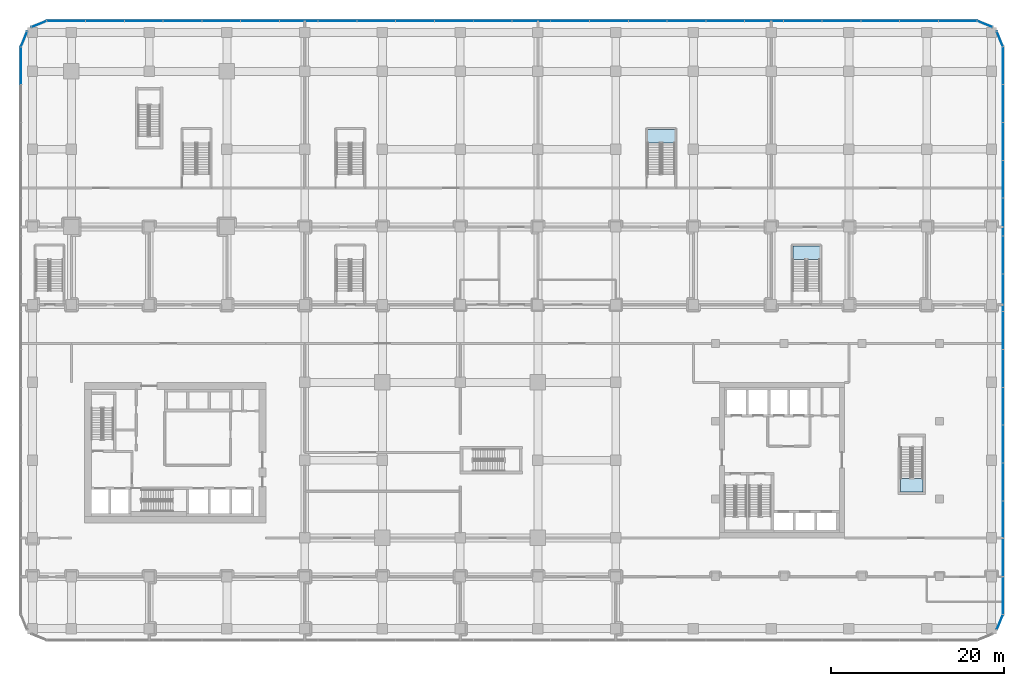
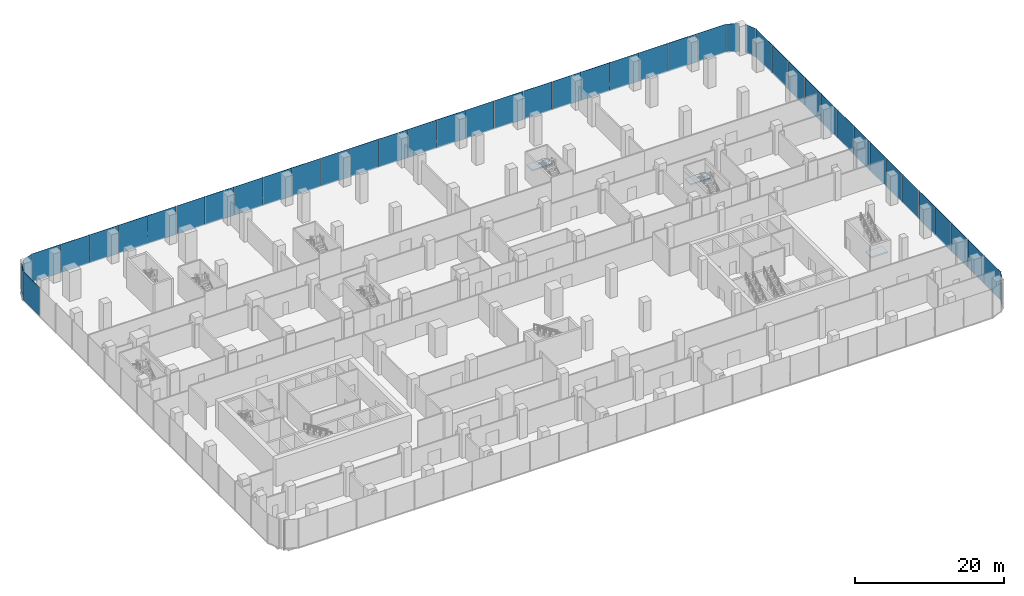
# One storey, part 27 of 42: 45 plates, 3 slabs, 11 elements without a shape of their own.
"""IFC4 building model written with IfcOpenShell, lengths in metres."""

from ifc_helpers import new_model, si_unit, direction, frame, origin, origin_2d, place, context, subcontext, project, spatial, polyline, rectangle, outline, extrude, material, layer, layer_set, type_object, element, aggregate, save


model = new_model("IFC4")

# Units and contexts
model_context = context("Model", 3, precision=1e-05, world=origin(), true_north=direction((0.0, 1.0)))
body_context = subcontext(model_context, "Body", "Model", "MODEL_VIEW")
ifc_project = project(units=[si_unit("LENGTHUNIT", "METRE"), si_unit("AREAUNIT", "SQUARE_METRE"), si_unit("VOLUMEUNIT", "CUBIC_METRE"), si_unit("PLANEANGLEUNIT", "RADIAN"), si_unit("MASSUNIT", "GRAM", prefix="KILO")], contexts=[model_context])

# Site, building, storey
site_placement = place(None, origin())
site = spatial("IfcSite", under=ifc_project, at=site_placement, CompositionType="ELEMENT")
building_placement = place(site_placement, origin())
building = spatial("IfcBuilding", under=site, at=building_placement, Name="Plateau Cross Towers", CompositionType="ELEMENT")
storey_placement = place(building_placement, frame((0.0, 0.0, 8.0)))
storey = spatial("IfcBuildingStorey", under=building, at=storey_placement, Name="L01", CompositionType="ELEMENT", Elevation=8.0)

# Curtain wall, plate
ifc_material_1 = material(Name="Dark low-iron laminated glass", Category="glass")
ifc_layer_1 = layer(ifc_material_1, 0.300048828125)
ifc_layer_set_1 = layer_set([ifc_layer_1], Name="Dark low-iron laminated glass")
curtain_wall_type = type_object("IfcCurtainWallType", Name="Curtain wall structural silicone CW-C", PredefinedType="NOTDEFINED", material=ifc_layer_set_1)
curtain_wall_1_placement = place(storey_placement, origin())
curtain_wall_1 = element("IfcCurtainWall", 1, at=curtain_wall_1_placement, inside=storey, type_object=curtain_wall_type, Name="ENV/P/L01/P1071_-106", PredefinedType="NOTDEFINED")
ifc_layer_2 = layer(ifc_material_1, 0.0439453125)
ifc_layer_set_2 = layer_set([ifc_layer_2], Name="Dark low-iron laminated glass")
plate_type = type_object("IfcPlateType", Name="Glass panel 44 structural silicone", PredefinedType="CURTAIN_PANEL", material=ifc_layer_set_2)
plate_1_placement = place(storey_placement, frame((107.485107421875, -9.731201171875, -0.199951171875), z_axis=(0.0, 0.0, 1.0), x_axis=(0.382683612978, 0.923879457699, 0.0)))
plate_1 = element("IfcPlate", 2, at=plate_1_placement, type_object=plate_type, Name="CW-C panel 1", PredefinedType="CURTAIN_PANEL", context=body_context, shape_type="SweptSolid", body=[
    extrude(rectangle(XDim=1.857666015625, YDim=0.0439453125, at=origin_2d()), origin(), (0.0, 0.0, 1.0), 4.64990234375),
])
aggregate(curtain_wall_1, [plate_1])

# Curtain wall, plates
curtain_wall_2_placement = place(storey_placement, origin())
curtain_wall_2 = element("IfcCurtainWall", 3, at=curtain_wall_2_placement, inside=storey, type_object=curtain_wall_type, Name="ENV/P/L01/P1078_-88", PredefinedType="NOTDEFINED")
plate_2_placement = place(storey_placement, frame((107.85009765625, -6.659912109375, -0.199951171875), z_axis=(0.0, 0.0, 1.0), x_axis=(0.0, 1.0, 0.0)))
plate_2 = element("IfcPlate", 4, at=plate_2_placement, type_object=plate_type, Name="CW-C panel 1", PredefinedType="CURTAIN_PANEL", context=body_context, shape_type="SweptSolid", body=[
    extrude(rectangle(XDim=4.330078125, YDim=0.0439453125, at=origin_2d()), origin(), (0.0, 0.0, 1.0), 4.64990234375),
])
plate_3_placement = place(storey_placement, frame((107.85009765625, -2.280029296875, -0.199951171875), z_axis=(0.0, 0.0, 1.0), x_axis=(0.0, 1.0, 0.0)))
plate_3 = element("IfcPlate", 5, at=plate_3_placement, type_object=plate_type, Name="CW-C panel 2", PredefinedType="CURTAIN_PANEL", context=body_context, shape_type="SweptSolid", body=[
    extrude(rectangle(XDim=4.330078125, YDim=0.0439453125, at=origin_2d()), origin(), (0.0, 0.0, 1.0), 4.64990234375),
])
plate_4_placement = place(storey_placement, frame((107.85009765625, 2.10009765625, -0.199951171875), z_axis=(0.0, 0.0, 1.0), x_axis=(0.0, 1.0, 0.0)))
plate_4 = element("IfcPlate", 6, at=plate_4_placement, type_object=plate_type, Name="CW-C panel 3", PredefinedType="CURTAIN_PANEL", context=body_context, shape_type="SweptSolid", body=[
    extrude(rectangle(XDim=4.330078125, YDim=0.0439453125, at=origin_2d()), origin(), (0.0, 0.0, 1.0), 4.64990234375),
])
plate_5_placement = place(storey_placement, frame((107.85009765625, 6.47998046875, -0.199951171875), z_axis=(0.0, 0.0, 1.0), x_axis=(0.0, 1.0, 0.0)))
plate_5 = element("IfcPlate", 7, at=plate_5_placement, type_object=plate_type, Name="CW-C panel 4", PredefinedType="CURTAIN_PANEL", context=body_context, shape_type="SweptSolid", body=[
    extrude(rectangle(XDim=4.330078125, YDim=0.0439453125, at=origin_2d()), origin(), (0.0, 0.0, 1.0), 4.64990234375),
])
plate_6_placement = place(storey_placement, frame((107.85009765625, 10.860107421875, -0.199951171875), z_axis=(0.0, 0.0, 1.0), x_axis=(0.0, 1.0, 0.0)))
plate_6 = element("IfcPlate", 8, at=plate_6_placement, type_object=plate_type, Name="CW-C panel 5", PredefinedType="CURTAIN_PANEL", context=body_context, shape_type="SweptSolid", body=[
    extrude(rectangle(XDim=4.330078125, YDim=0.0439453125, at=origin_2d()), origin(), (0.0, 0.0, 1.0), 4.64990234375),
])
plate_7_placement = place(storey_placement, frame((107.85009765625, 15.239990234375, -0.199951171875), z_axis=(0.0, 0.0, 1.0), x_axis=(0.0, 1.0, 0.0)))
plate_7 = element("IfcPlate", 9, at=plate_7_placement, type_object=plate_type, Name="CW-C panel 6", PredefinedType="CURTAIN_PANEL", context=body_context, shape_type="SweptSolid", body=[
    extrude(rectangle(XDim=4.330078125, YDim=0.0439453125, at=origin_2d()), origin(), (0.0, 0.0, 1.0), 4.64990234375),
])
plate_8_placement = place(storey_placement, frame((107.85009765625, 19.6201171875, -0.199951171875), z_axis=(0.0, 0.0, 1.0), x_axis=(0.0, 1.0, 0.0)))
plate_8 = element("IfcPlate", 10, at=plate_8_placement, type_object=plate_type, Name="CW-C panel 7", PredefinedType="CURTAIN_PANEL", context=body_context, shape_type="SweptSolid", body=[
    extrude(rectangle(XDim=4.330078125, YDim=0.0439453125, at=origin_2d()), origin(), (0.0, 0.0, 1.0), 4.64990234375),
])
plate_9_placement = place(storey_placement, frame((107.85009765625, 24.0, -0.199951171875), z_axis=(0.0, 0.0, 1.0), x_axis=(0.0, 1.0, 0.0)))
plate_9 = element("IfcPlate", 11, at=plate_9_placement, type_object=plate_type, Name="CW-C panel 8", PredefinedType="CURTAIN_PANEL", context=body_context, shape_type="SweptSolid", body=[
    extrude(rectangle(XDim=4.330078125, YDim=0.0439453125, at=origin_2d()), origin(), (0.0, 0.0, 1.0), 4.64990234375),
])
plate_10_placement = place(storey_placement, frame((107.85009765625, 28.3798828125, -0.199951171875), z_axis=(0.0, 0.0, 1.0), x_axis=(0.0, 1.0, 0.0)))
plate_10 = element("IfcPlate", 12, at=plate_10_placement, type_object=plate_type, Name="CW-C panel 9", PredefinedType="CURTAIN_PANEL", context=body_context, shape_type="SweptSolid", body=[
    extrude(rectangle(XDim=4.330078125, YDim=0.0439453125, at=origin_2d()), origin(), (0.0, 0.0, 1.0), 4.64990234375),
])
plate_11_placement = place(storey_placement, frame((107.85009765625, 32.760009765625, -0.199951171875), z_axis=(0.0, 0.0, 1.0), x_axis=(0.0, 1.0, 0.0)))
plate_11 = element("IfcPlate", 13, at=plate_11_placement, type_object=plate_type, Name="CW-C panel 10", PredefinedType="CURTAIN_PANEL", context=body_context, shape_type="SweptSolid", body=[
    extrude(rectangle(XDim=4.330078125, YDim=0.0439453125, at=origin_2d()), origin(), (0.0, 0.0, 1.0), 4.64990234375),
])
plate_12_placement = place(storey_placement, frame((107.85009765625, 37.139892578125, -0.199951171875), z_axis=(0.0, 0.0, 1.0), x_axis=(0.0, 1.0, 0.0)))
plate_12 = element("IfcPlate", 14, at=plate_12_placement, type_object=plate_type, Name="CW-C panel 11", PredefinedType="CURTAIN_PANEL", context=body_context, shape_type="SweptSolid", body=[
    extrude(rectangle(XDim=4.330078125, YDim=0.0439453125, at=origin_2d()), origin(), (0.0, 0.0, 1.0), 4.64990234375),
])
plate_13_placement = place(storey_placement, frame((107.85009765625, 41.52001953125, -0.199951171875), z_axis=(0.0, 0.0, 1.0), x_axis=(0.0, 1.0, 0.0)))
plate_13 = element("IfcPlate", 15, at=plate_13_placement, type_object=plate_type, Name="CW-C panel 12", PredefinedType="CURTAIN_PANEL", context=body_context, shape_type="SweptSolid", body=[
    extrude(rectangle(XDim=4.330078125, YDim=0.0439453125, at=origin_2d()), origin(), (0.0, 0.0, 1.0), 4.64990234375),
])
plate_14_placement = place(storey_placement, frame((107.85009765625, 45.89990234375, -0.199951171875), z_axis=(0.0, 0.0, 1.0), x_axis=(0.0, 1.0, 0.0)))
plate_14 = element("IfcPlate", 16, at=plate_14_placement, type_object=plate_type, Name="CW-C panel 13", PredefinedType="CURTAIN_PANEL", context=body_context, shape_type="SweptSolid", body=[
    extrude(rectangle(XDim=4.330078125, YDim=0.0439453125, at=origin_2d()), origin(), (0.0, 0.0, 1.0), 4.64990234375),
])
plate_15_placement = place(storey_placement, frame((107.85009765625, 50.280029296875, -0.199951171875), z_axis=(0.0, 0.0, 1.0), x_axis=(0.0, 1.0, 0.0)))
plate_15 = element("IfcPlate", 17, at=plate_15_placement, type_object=plate_type, Name="CW-C panel 14", PredefinedType="CURTAIN_PANEL", context=body_context, shape_type="SweptSolid", body=[
    extrude(rectangle(XDim=4.330078125, YDim=0.0439453125, at=origin_2d()), origin(), (0.0, 0.0, 1.0), 4.64990234375),
])
plate_16_placement = place(storey_placement, frame((107.85009765625, 54.659912109375, -0.199951171875), z_axis=(0.0, 0.0, 1.0), x_axis=(0.0, 1.0, 0.0)))
plate_16 = element("IfcPlate", 18, at=plate_16_placement, type_object=plate_type, Name="CW-C panel 15", PredefinedType="CURTAIN_PANEL", context=body_context, shape_type="SweptSolid", body=[
    extrude(rectangle(XDim=4.330078125, YDim=0.0439453125, at=origin_2d()), origin(), (0.0, 0.0, 1.0), 4.64990234375),
])
aggregate(curtain_wall_2, [plate_2, plate_3, plate_4, plate_5, plate_6, plate_7, plate_8, plate_9, plate_10, plate_11, plate_12, plate_13, plate_14, plate_15, plate_16])

# Curtain wall, plate
curtain_wall_3_placement = place(storey_placement, origin())
curtain_wall_3 = element("IfcCurtainWall", 19, at=curtain_wall_3_placement, inside=storey, type_object=curtain_wall_type, Name="ENV/P/L01/P1078_568", PredefinedType="NOTDEFINED")
plate_17_placement = place(storey_placement, frame((107.485107421875, 57.731201171875, -0.199951171875), z_axis=(0.0, 0.0, 1.0), x_axis=(-0.382683612978, 0.923879457699, 0.0)))
plate_17 = element("IfcPlate", 20, at=plate_17_placement, type_object=plate_type, Name="CW-C panel 1", PredefinedType="CURTAIN_PANEL", context=body_context, shape_type="SweptSolid", body=[
    extrude(rectangle(XDim=1.857666015625, YDim=0.0439453125, at=origin_2d()), origin(), (0.0, 0.0, 1.0), 4.64990234375),
])
aggregate(curtain_wall_3, [plate_17])

curtain_wall_4_placement = place(storey_placement, origin())
curtain_wall_4 = element("IfcCurtainWall", 21, at=curtain_wall_4_placement, inside=storey, type_object=curtain_wall_type, Name="ENV/P/L01/P1066_591", PredefinedType="NOTDEFINED")
plate_18_placement = place(storey_placement, frame((105.731201171875, 59.485107421875, -0.199951171875), z_axis=(0.0, 0.0, 1.0), x_axis=(-0.923879457699, 0.382683612978, 0.0)))
plate_18 = element("IfcPlate", 22, at=plate_18_placement, type_object=plate_type, Name="CW-C panel 1", PredefinedType="CURTAIN_PANEL", context=body_context, shape_type="SweptSolid", body=[
    extrude(rectangle(XDim=1.857666015625, YDim=0.0439453125, at=origin_2d()), origin(), (0.0, 0.0, 1.0), 4.64990234375),
])
aggregate(curtain_wall_4, [plate_18])

# Curtain wall, plates
curtain_wall_5_placement = place(storey_placement, origin())
curtain_wall_5 = element("IfcCurtainWall", 23, at=curtain_wall_5_placement, inside=storey, type_object=curtain_wall_type, Name="ENV/P/L01/P1048_598", PredefinedType="NOTDEFINED")
plate_19_placement = place(storey_placement, frame((102.606201171875, 59.85009765625, -0.199951171875), z_axis=(0.0, 0.0, 1.0), x_axis=(-1.0, 0.0, 0.0)))
plate_19 = element("IfcPlate", 24, at=plate_19_placement, type_object=plate_type, Name="CW-C panel 1", PredefinedType="CURTAIN_PANEL", context=body_context, shape_type="SweptSolid", body=[
    extrude(rectangle(XDim=4.4375, YDim=0.0439453125, at=origin_2d()), origin(), (0.0, 0.0, 1.0), 4.64990234375),
])
plate_20_placement = place(storey_placement, frame((98.11865234375, 59.85009765625, -0.199951171875), z_axis=(0.0, 0.0, 1.0), x_axis=(-1.0, 0.0, 0.0)))
plate_20 = element("IfcPlate", 25, at=plate_20_placement, type_object=plate_type, Name="CW-C panel 2", PredefinedType="CURTAIN_PANEL", context=body_context, shape_type="SweptSolid", body=[
    extrude(rectangle(XDim=4.4375, YDim=0.0439453125, at=origin_2d()), origin(), (0.0, 0.0, 1.0), 4.64990234375),
])
plate_21_placement = place(storey_placement, frame((93.63134765625, 59.85009765625, -0.199951171875), z_axis=(0.0, 0.0, 1.0), x_axis=(-1.0, 0.0, 0.0)))
plate_21 = element("IfcPlate", 26, at=plate_21_placement, type_object=plate_type, Name="CW-C panel 3", PredefinedType="CURTAIN_PANEL", context=body_context, shape_type="SweptSolid", body=[
    extrude(rectangle(XDim=4.4375, YDim=0.0439453125, at=origin_2d()), origin(), (0.0, 0.0, 1.0), 4.64990234375),
])
plate_22_placement = place(storey_placement, frame((89.143798828125, 59.85009765625, -0.199951171875), z_axis=(0.0, 0.0, 1.0), x_axis=(-1.0, 0.0, 0.0)))
plate_22 = element("IfcPlate", 27, at=plate_22_placement, type_object=plate_type, Name="CW-C panel 4", PredefinedType="CURTAIN_PANEL", context=body_context, shape_type="SweptSolid", body=[
    extrude(rectangle(XDim=4.4375, YDim=0.0439453125, at=origin_2d()), origin(), (0.0, 0.0, 1.0), 4.64990234375),
])
plate_23_placement = place(storey_placement, frame((84.65625, 59.85009765625, -0.199951171875), z_axis=(0.0, 0.0, 1.0), x_axis=(-1.0, 0.0, 0.0)))
plate_23 = element("IfcPlate", 28, at=plate_23_placement, type_object=plate_type, Name="CW-C panel 5", PredefinedType="CURTAIN_PANEL", context=body_context, shape_type="SweptSolid", body=[
    extrude(rectangle(XDim=4.4375, YDim=0.0439453125, at=origin_2d()), origin(), (0.0, 0.0, 1.0), 4.64990234375),
])
plate_24_placement = place(storey_placement, frame((80.168701171875, 59.85009765625, -0.199951171875), z_axis=(0.0, 0.0, 1.0), x_axis=(-1.0, 0.0, 0.0)))
plate_24 = element("IfcPlate", 29, at=plate_24_placement, type_object=plate_type, Name="CW-C panel 6", PredefinedType="CURTAIN_PANEL", context=body_context, shape_type="SweptSolid", body=[
    extrude(rectangle(XDim=4.4375, YDim=0.0439453125, at=origin_2d()), origin(), (0.0, 0.0, 1.0), 4.64990234375),
])
plate_25_placement = place(storey_placement, frame((75.68115234375, 59.85009765625, -0.199951171875), z_axis=(0.0, 0.0, 1.0), x_axis=(-1.0, 0.0, 0.0)))
plate_25 = element("IfcPlate", 30, at=plate_25_placement, type_object=plate_type, Name="CW-C panel 7", PredefinedType="CURTAIN_PANEL", context=body_context, shape_type="SweptSolid", body=[
    extrude(rectangle(XDim=4.4375, YDim=0.0439453125, at=origin_2d()), origin(), (0.0, 0.0, 1.0), 4.64990234375),
])
plate_26_placement = place(storey_placement, frame((71.19384765625, 59.85009765625, -0.199951171875), z_axis=(0.0, 0.0, 1.0), x_axis=(-1.0, 0.0, 0.0)))
plate_26 = element("IfcPlate", 31, at=plate_26_placement, type_object=plate_type, Name="CW-C panel 8", PredefinedType="CURTAIN_PANEL", context=body_context, shape_type="SweptSolid", body=[
    extrude(rectangle(XDim=4.4375, YDim=0.0439453125, at=origin_2d()), origin(), (0.0, 0.0, 1.0), 4.64990234375),
])
plate_27_placement = place(storey_placement, frame((66.706298828125, 59.85009765625, -0.199951171875), z_axis=(0.0, 0.0, 1.0), x_axis=(-1.0, 0.0, 0.0)))
plate_27 = element("IfcPlate", 32, at=plate_27_placement, type_object=plate_type, Name="CW-C panel 9", PredefinedType="CURTAIN_PANEL", context=body_context, shape_type="SweptSolid", body=[
    extrude(rectangle(XDim=4.4375, YDim=0.0439453125, at=origin_2d()), origin(), (0.0, 0.0, 1.0), 4.64990234375),
])
plate_28_placement = place(storey_placement, frame((62.21875, 59.85009765625, -0.199951171875), z_axis=(0.0, 0.0, 1.0), x_axis=(-1.0, 0.0, 0.0)))
plate_28 = element("IfcPlate", 33, at=plate_28_placement, type_object=plate_type, Name="CW-C panel 10", PredefinedType="CURTAIN_PANEL", context=body_context, shape_type="SweptSolid", body=[
    extrude(rectangle(XDim=4.4375, YDim=0.0439453125, at=origin_2d()), origin(), (0.0, 0.0, 1.0), 4.64990234375),
])
plate_29_placement = place(storey_placement, frame((57.731201171875, 59.85009765625, -0.199951171875), z_axis=(0.0, 0.0, 1.0), x_axis=(-1.0, 0.0, 0.0)))
plate_29 = element("IfcPlate", 34, at=plate_29_placement, type_object=plate_type, Name="CW-C panel 11", PredefinedType="CURTAIN_PANEL", context=body_context, shape_type="SweptSolid", body=[
    extrude(rectangle(XDim=4.4375, YDim=0.0439453125, at=origin_2d()), origin(), (0.0, 0.0, 1.0), 4.64990234375),
])
plate_30_placement = place(storey_placement, frame((53.24365234375, 59.85009765625, -0.199951171875), z_axis=(0.0, 0.0, 1.0), x_axis=(-1.0, 0.0, 0.0)))
plate_30 = element("IfcPlate", 35, at=plate_30_placement, type_object=plate_type, Name="CW-C panel 12", PredefinedType="CURTAIN_PANEL", context=body_context, shape_type="SweptSolid", body=[
    extrude(rectangle(XDim=4.4375, YDim=0.0439453125, at=origin_2d()), origin(), (0.0, 0.0, 1.0), 4.64990234375),
])
plate_31_placement = place(storey_placement, frame((48.75634765625, 59.85009765625, -0.199951171875), z_axis=(0.0, 0.0, 1.0), x_axis=(-1.0, 0.0, 0.0)))
plate_31 = element("IfcPlate", 36, at=plate_31_placement, type_object=plate_type, Name="CW-C panel 13", PredefinedType="CURTAIN_PANEL", context=body_context, shape_type="SweptSolid", body=[
    extrude(rectangle(XDim=4.4375, YDim=0.0439453125, at=origin_2d()), origin(), (0.0, 0.0, 1.0), 4.64990234375),
])
plate_32_placement = place(storey_placement, frame((44.268798828125, 59.85009765625, -0.199951171875), z_axis=(0.0, 0.0, 1.0), x_axis=(-1.0, 0.0, 0.0)))
plate_32 = element("IfcPlate", 37, at=plate_32_placement, type_object=plate_type, Name="CW-C panel 14", PredefinedType="CURTAIN_PANEL", context=body_context, shape_type="SweptSolid", body=[
    extrude(rectangle(XDim=4.4375, YDim=0.0439453125, at=origin_2d()), origin(), (0.0, 0.0, 1.0), 4.64990234375),
])
plate_33_placement = place(storey_placement, frame((39.78125, 59.85009765625, -0.199951171875), z_axis=(0.0, 0.0, 1.0), x_axis=(-1.0, 0.0, 0.0)))
plate_33 = element("IfcPlate", 38, at=plate_33_placement, type_object=plate_type, Name="CW-C panel 15", PredefinedType="CURTAIN_PANEL", context=body_context, shape_type="SweptSolid", body=[
    extrude(rectangle(XDim=4.4375, YDim=0.0439453125, at=origin_2d()), origin(), (0.0, 0.0, 1.0), 4.64990234375),
])
plate_34_placement = place(storey_placement, frame((35.293701171875, 59.85009765625, -0.199951171875), z_axis=(0.0, 0.0, 1.0), x_axis=(-1.0, 0.0, 0.0)))
plate_34 = element("IfcPlate", 39, at=plate_34_placement, type_object=plate_type, Name="CW-C panel 16", PredefinedType="CURTAIN_PANEL", context=body_context, shape_type="SweptSolid", body=[
    extrude(rectangle(XDim=4.4375, YDim=0.0439453125, at=origin_2d()), origin(), (0.0, 0.0, 1.0), 4.64990234375),
])
plate_35_placement = place(storey_placement, frame((30.80615234375, 59.85009765625, -0.199951171875), z_axis=(0.0, 0.0, 1.0), x_axis=(-1.0, 0.0, 0.0)))
plate_35 = element("IfcPlate", 40, at=plate_35_placement, type_object=plate_type, Name="CW-C panel 17", PredefinedType="CURTAIN_PANEL", context=body_context, shape_type="SweptSolid", body=[
    extrude(rectangle(XDim=4.4375, YDim=0.0439453125, at=origin_2d()), origin(), (0.0, 0.0, 1.0), 4.64990234375),
])
plate_36_placement = place(storey_placement, frame((26.31884765625, 59.85009765625, -0.199951171875), z_axis=(0.0, 0.0, 1.0), x_axis=(-1.0, 0.0, 0.0)))
plate_36 = element("IfcPlate", 41, at=plate_36_placement, type_object=plate_type, Name="CW-C panel 18", PredefinedType="CURTAIN_PANEL", context=body_context, shape_type="SweptSolid", body=[
    extrude(rectangle(XDim=4.4375, YDim=0.0439453125, at=origin_2d()), origin(), (0.0, 0.0, 1.0), 4.64990234375),
])
plate_37_placement = place(storey_placement, frame((21.831298828125, 59.85009765625, -0.199951171875), z_axis=(0.0, 0.0, 1.0), x_axis=(-1.0, 0.0, 0.0)))
plate_37 = element("IfcPlate", 42, at=plate_37_placement, type_object=plate_type, Name="CW-C panel 19", PredefinedType="CURTAIN_PANEL", context=body_context, shape_type="SweptSolid", body=[
    extrude(rectangle(XDim=4.4375, YDim=0.0439453125, at=origin_2d()), origin(), (0.0, 0.0, 1.0), 4.64990234375),
])
plate_38_placement = place(storey_placement, frame((17.34375, 59.85009765625, -0.199951171875), z_axis=(0.0, 0.0, 1.0), x_axis=(-1.0, 0.0, 0.0)))
plate_38 = element("IfcPlate", 43, at=plate_38_placement, type_object=plate_type, Name="CW-C panel 20", PredefinedType="CURTAIN_PANEL", context=body_context, shape_type="SweptSolid", body=[
    extrude(rectangle(XDim=4.4375, YDim=0.0439453125, at=origin_2d()), origin(), (0.0, 0.0, 1.0), 4.64990234375),
])
plate_39_placement = place(storey_placement, frame((12.856201171875, 59.85009765625, -0.199951171875), z_axis=(0.0, 0.0, 1.0), x_axis=(-1.0, 0.0, 0.0)))
plate_39 = element("IfcPlate", 44, at=plate_39_placement, type_object=plate_type, Name="CW-C panel 21", PredefinedType="CURTAIN_PANEL", context=body_context, shape_type="SweptSolid", body=[
    extrude(rectangle(XDim=4.4375, YDim=0.0439453125, at=origin_2d()), origin(), (0.0, 0.0, 1.0), 4.64990234375),
])
plate_40_placement = place(storey_placement, frame((8.36865234375, 59.85009765625, -0.199951171875), z_axis=(0.0, 0.0, 1.0), x_axis=(-1.0, 0.0, 0.0)))
plate_40 = element("IfcPlate", 45, at=plate_40_placement, type_object=plate_type, Name="CW-C panel 22", PredefinedType="CURTAIN_PANEL", context=body_context, shape_type="SweptSolid", body=[
    extrude(rectangle(XDim=4.4375, YDim=0.0439453125, at=origin_2d()), origin(), (0.0, 0.0, 1.0), 4.64990234375),
])
plate_41_placement = place(storey_placement, frame((3.88134765625, 59.85009765625, -0.199951171875), z_axis=(0.0, 0.0, 1.0), x_axis=(-1.0, 0.0, 0.0)))
plate_41 = element("IfcPlate", 46, at=plate_41_placement, type_object=plate_type, Name="CW-C panel 23", PredefinedType="CURTAIN_PANEL", context=body_context, shape_type="SweptSolid", body=[
    extrude(rectangle(XDim=4.4375, YDim=0.0439453125, at=origin_2d()), origin(), (0.0, 0.0, 1.0), 4.64990234375),
])
plate_42_placement = place(storey_placement, frame((-0.606201171875, 59.85009765625, -0.199951171875), z_axis=(0.0, 0.0, 1.0), x_axis=(-1.0, 0.0, 0.0)))
plate_42 = element("IfcPlate", 47, at=plate_42_placement, type_object=plate_type, Name="CW-C panel 24", PredefinedType="CURTAIN_PANEL", context=body_context, shape_type="SweptSolid", body=[
    extrude(rectangle(XDim=4.4375, YDim=0.0439453125, at=origin_2d()), origin(), (0.0, 0.0, 1.0), 4.64990234375),
])
aggregate(curtain_wall_5, [plate_19, plate_20, plate_21, plate_22, plate_23, plate_24, plate_25, plate_26, plate_27, plate_28, plate_29, plate_30, plate_31, plate_32, plate_33, plate_34, plate_35, plate_36, plate_37, plate_38, plate_39, plate_40, plate_41, plate_42])

# Curtain wall, plate
curtain_wall_6_placement = place(storey_placement, origin())
curtain_wall_6 = element("IfcCurtainWall", 48, at=curtain_wall_6_placement, inside=storey, type_object=curtain_wall_type, Name="ENV/P/L01/P-28_598", PredefinedType="NOTDEFINED")
plate_43_placement = place(storey_placement, frame((-3.731201171875, 59.485107421875, -0.199951171875), z_axis=(0.0, 0.0, 1.0), x_axis=(-0.923879457699, -0.382683612978, 0.0)))
plate_43 = element("IfcPlate", 49, at=plate_43_placement, type_object=plate_type, Name="CW-C panel 1", PredefinedType="CURTAIN_PANEL", context=body_context, shape_type="SweptSolid", body=[
    extrude(rectangle(XDim=1.857666015625, YDim=0.0439453125, at=origin_2d()), origin(), (0.0, 0.0, 1.0), 4.64990234375),
])
aggregate(curtain_wall_6, [plate_43])

curtain_wall_7_placement = place(storey_placement, origin())
curtain_wall_7 = element("IfcCurtainWall", 50, at=curtain_wall_7_placement, inside=storey, type_object=curtain_wall_type, Name="ENV/P/L01/P-51_586", PredefinedType="NOTDEFINED")
plate_44_placement = place(storey_placement, frame((-5.485107421875, 57.731201171875, -0.199951171875), z_axis=(0.0, 0.0, 1.0), x_axis=(-0.382683612978, -0.923879457699, 0.0)))
plate_44 = element("IfcPlate", 51, at=plate_44_placement, type_object=plate_type, Name="CW-C panel 1", PredefinedType="CURTAIN_PANEL", context=body_context, shape_type="SweptSolid", body=[
    extrude(rectangle(XDim=1.857666015625, YDim=0.0439453125, at=origin_2d()), origin(), (0.0, 0.0, 1.0), 4.64990234375),
])
aggregate(curtain_wall_7, [plate_44])

curtain_wall_8_placement = place(storey_placement, origin())
curtain_wall_8 = element("IfcCurtainWall", 52, at=curtain_wall_8_placement, inside=storey, type_object=curtain_wall_type, Name="ENV/P/L01/P-58_568", PredefinedType="NOTDEFINED")
plate_45_placement = place(storey_placement, frame((-5.85009765625, 54.659912109375, -0.199951171875), z_axis=(0.0, 0.0, 1.0), x_axis=(0.0, -1.0, 0.0)))
plate_45 = element("IfcPlate", 53, at=plate_45_placement, type_object=plate_type, Name="CW-C panel 1", PredefinedType="CURTAIN_PANEL", context=body_context, shape_type="SweptSolid", body=[
    extrude(rectangle(XDim=4.330078125, YDim=0.0439453125, at=origin_2d()), origin(), (0.0, 0.0, 1.0), 4.64990234375),
])
aggregate(curtain_wall_8, [plate_45])

# Stair, slab
ifc_material_2 = material(Name="Concrete C40/50", Category="concrete")
stair_type_1 = type_object("IfcStairType", Name="ST-TWR", PredefinedType="HALF_TURN_STAIR", material=ifc_material_2)
stair_1_placement = place(storey_placement, origin())
stair_1 = element("IfcStair", 54, at=stair_1_placement, inside=storey, type_object=stair_type_1, Name="L01 Protected Exit Stair SB-3", PredefinedType="HALF_TURN_STAIR")
ifc_layer_3 = layer(ifc_material_2, 0.199951171875)
ifc_layer_set_3 = layer_set([ifc_layer_3], Name="Concrete C40/50")
slab_type = type_object("IfcSlabType", Name="SL-LANDING", PredefinedType="LANDING", material=ifc_layer_set_3)
slab_1_placement = place(storey_placement, frame((0.0, 0.0, 2.199951171875)))
slab_1 = element("IfcSlab", 55, at=slab_1_placement, type_object=slab_type, Name="SB-3 landing 1", PredefinedType="LANDING", context=body_context, shape_type="SweptSolid", body=[
    extrude(outline(polyline([(96.0, 6.860107421875), (96.0, 5.300048828125), (98.550048828125, 5.300048828125), (98.550048828125, 6.860107421875), (96.0, 6.860107421875)])), origin(), (0.0, 0.0, 1.0), 0.199951171875),
])
aggregate(stair_1, [slab_1])

stair_type_2 = type_object("IfcStairType", Name="Podium exit stair 1500", PredefinedType="HALF_TURN_STAIR", material=ifc_material_2)
stair_2_placement = place(storey_placement, origin())
stair_2 = element("IfcStair", 56, at=stair_2_placement, inside=storey, type_object=stair_type_2, Name="L01 Exit Stair 3", PredefinedType="HALF_TURN_STAIR")
slab_2_placement = place(storey_placement, frame((0.0, 0.0, 2.199951171875)))
slab_2 = element("IfcSlab", 57, at=slab_2_placement, type_object=slab_type, Name="PS3 landing 1", PredefinedType="LANDING", context=body_context, shape_type="SweptSolid", body=[
    extrude(outline(polyline([(69.85009765625, 45.739990234375), (69.85009765625, 47.300048828125), (66.699951171875, 47.300048828125), (66.699951171875, 45.739990234375), (69.85009765625, 45.739990234375)])), origin(), (0.0, 0.0, 1.0), 0.199951171875),
])
aggregate(stair_2, [slab_2])

stair_3_placement = place(storey_placement, origin())
stair_3 = element("IfcStair", 58, at=stair_3_placement, inside=storey, type_object=stair_type_2, Name="L01 Exit Stair 5", PredefinedType="HALF_TURN_STAIR")
slab_3_placement = place(storey_placement, frame((0.0, 0.0, 2.199951171875)))
slab_3 = element("IfcSlab", 59, at=slab_3_placement, type_object=slab_type, Name="PS5 landing 1", PredefinedType="LANDING", context=body_context, shape_type="SweptSolid", body=[
    extrude(outline(polyline([(86.64990234375, 32.239990234375), (86.64990234375, 33.800048828125), (83.5, 33.800048828125), (83.5, 32.239990234375), (86.64990234375, 32.239990234375)])), origin(), (0.0, 0.0, 1.0), 0.199951171875),
])
aggregate(stair_3, [slab_3])

save(model, "model.ifc")
